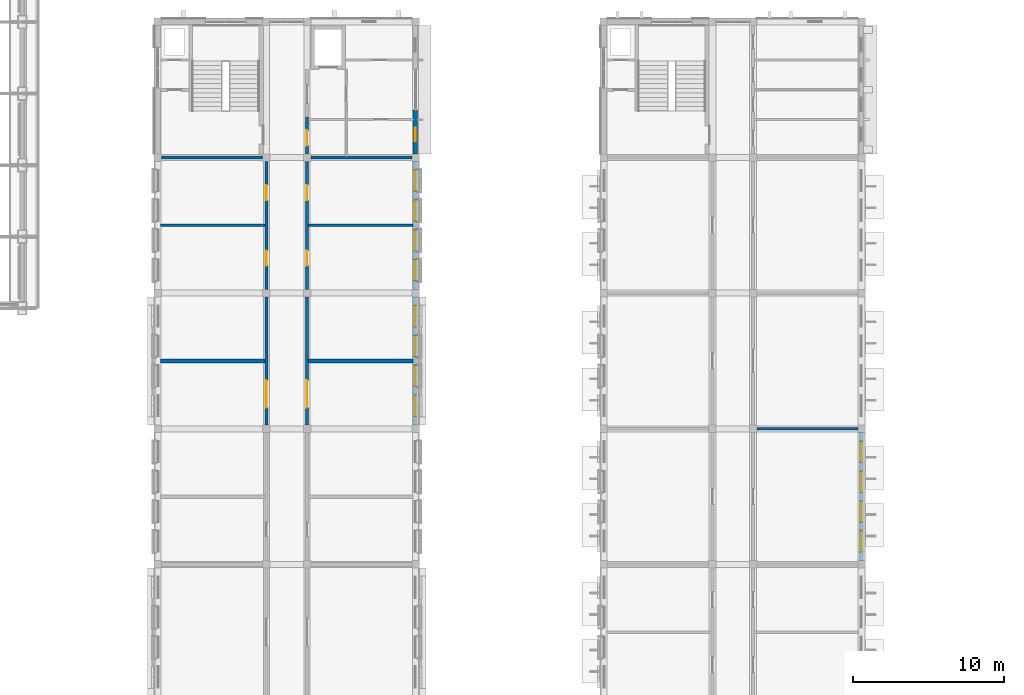
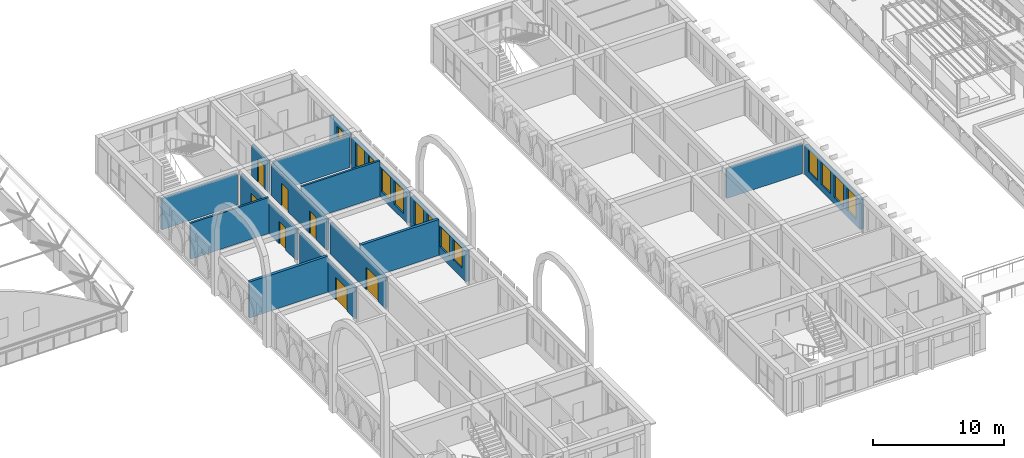
# One storey, part 41 of 65: 16 walls, 13 windows, 7 doors, 20 openings.
"""IFC4 building model written with IfcOpenShell, lengths in metres."""

from ifc_helpers import new_model, si_unit, direction, frame, frame_2d, origin, place, context, subcontext, project, spatial, rectangle, extrude, material, layer, layer_set, type_object, element, fill, save


model = new_model("IFC4")

# Units and contexts
model_context = context("Model", 3, precision=1e-05, world=origin(), true_north=direction((0.0, 1.0)))
body_context = subcontext(model_context, "Body", "Model", "MODEL_VIEW")
ifc_project = project(units=[si_unit("LENGTHUNIT", "METRE"), si_unit("AREAUNIT", "SQUARE_METRE"), si_unit("VOLUMEUNIT", "CUBIC_METRE"), si_unit("PLANEANGLEUNIT", "RADIAN"), si_unit("MASSUNIT", "GRAM", prefix="KILO")], contexts=[model_context])

# Site, building, storey
site_placement = place(None, origin())
site = spatial("IfcSite", under=ifc_project, at=site_placement, CompositionType="ELEMENT")
building_placement = place(site_placement, origin())
building = spatial("IfcBuilding", under=site, at=building_placement, Name="Elbe Cascade School", CompositionType="ELEMENT")
storey_placement = place(building_placement, frame((0.0, 0.0, 11.699951171875)))
storey = spatial("IfcBuildingStorey", under=building, at=storey_placement, Name="L03", CompositionType="ELEMENT", Elevation=11.699951171875)

# Walls
ifc_material_1 = material(Name="Masonry - lime-sand block, plastered", Category="masonry")
ifc_layer_1 = layer(ifc_material_1, 0.239990234375)
ifc_layer_set_1 = layer_set([ifc_layer_1], Name="Masonry - lime-sand block, plastered")
wall_type_1 = type_object("IfcWallType", Name="Bar acoustic partition wall lime-sand block 240", PredefinedType="PARTITIONING", material=ifc_layer_set_1)
wall_1_placement = place(storey_placement, frame((69.179931640625, 37.5, 0.0), z_axis=(0.0, 0.0, 1.0), x_axis=(1.0, 0.0, 0.0)))
element("IfcWall", 1, at=wall_1_placement, inside=storey, type_object=wall_type_1, Name="Bar acoustic partition wall lime-sand block 240", PredefinedType="PARTITIONING", context=body_context, shape_type="SweptSolid", body=[
    extrude(rectangle(XDim=6.920166015625, YDim=0.239990234375, at=frame_2d((3.4599609375, 0.0))), origin(), (0.0, 0.0, 1.0), 3.35009765625),
])
wall_2_placement = place(storey_placement, frame((79.0, 37.5, 0.0), z_axis=(0.0, 0.0, 1.0), x_axis=(1.0, 0.0, 0.0)))
element("IfcWall", 2, at=wall_2_placement, inside=storey, type_object=wall_type_1, Name="Bar acoustic partition wall lime-sand block 240", PredefinedType="PARTITIONING", context=body_context, shape_type="SweptSolid", body=[
    extrude(rectangle(XDim=6.919921875, YDim=0.239990234375, at=frame_2d((3.4599609375, 0.0))), origin(), (0.0, 0.0, 1.0), 3.35009765625),
])
ifc_material_2 = material(Name="Masonry - lime-sand block, plastered", Category="masonry")
ifc_layer_2 = layer(ifc_material_2, 0.175048828125)
ifc_layer_set_2 = layer_set([ifc_layer_2], Name="Masonry - lime-sand block, plastered")
wall_type_2 = type_object("IfcWallType", Name="Bar classroom partition wall lime-sand block 175", PredefinedType="PARTITIONING", material=ifc_layer_set_2)
wall_3_placement = place(storey_placement, frame((69.179931640625, 46.5, 0.0), z_axis=(0.0, 0.0, 1.0), x_axis=(1.0, 0.0, 0.0)))
element("IfcWall", 3, at=wall_3_placement, inside=storey, type_object=wall_type_2, Name="Bar classroom partition wall lime-sand block 175", PredefinedType="PARTITIONING", context=body_context, shape_type="SweptSolid", body=[
    extrude(rectangle(XDim=6.920166015625, YDim=0.175048828125, at=frame_2d((3.4599609375, 0.0))), origin(), (0.0, 0.0, 1.0), 3.35009765625),
])
wall_4_placement = place(storey_placement, frame((79.0, 46.5, 0.0), z_axis=(0.0, 0.0, 1.0), x_axis=(1.0, 0.0, 0.0)))
element("IfcWall", 4, at=wall_4_placement, inside=storey, type_object=wall_type_2, Name="Bar classroom partition wall lime-sand block 175", PredefinedType="PARTITIONING", context=body_context, shape_type="SweptSolid", body=[
    extrude(rectangle(XDim=6.919921875, YDim=0.175048828125, at=frame_2d((3.4599609375, 0.0))), origin(), (0.0, 0.0, 1.0), 3.35009765625),
])
wall_5_placement = place(storey_placement, frame((108.75, 33.0, 0.0), z_axis=(0.0, 0.0, 1.0), x_axis=(1.0, 0.0, 0.0)))
element("IfcWall", 5, at=wall_5_placement, inside=storey, type_object=wall_type_2, Name="Bar classroom partition wall lime-sand block 175", PredefinedType="PARTITIONING", context=body_context, shape_type="SweptSolid", body=[
    extrude(rectangle(XDim=6.699951171875, YDim=0.175048828125, at=frame_2d((3.35009765625, 0.0))), origin(), (0.0, 0.0, 1.0), 2.800048828125),
])

# Wall, opening, door
ifc_material_3 = material(Name="Masonry - lime-sand block, plastered", Category="masonry")
ifc_layer_3 = layer(ifc_material_3, 0.199951171875)
ifc_layer_set_3 = layer_set([ifc_layer_3], Name="Masonry - lime-sand block, plastered")
wall_type_3 = type_object("IfcWallType", Name="Bar corridor wall lime-sand block 200 EI 30", PredefinedType="PARTITIONING", material=ifc_layer_set_3)
wall_6_placement = place(storey_placement, frame((78.89990234375, 51.25, 0.0), z_axis=(0.0, 0.0, 1.0), x_axis=(0.0, 1.0, 0.0)))
wall_6 = element("IfcWall", 6, at=wall_6_placement, inside=storey, type_object=wall_type_3, Name="Bar corridor wall lime-sand block 200 EI 30", PredefinedType="PARTITIONING", context=body_context, shape_type="SweptSolid", body=[
    extrude(rectangle(XDim=2.449951171875, YDim=0.199951171875, at=frame_2d((1.22509765625, 0.0))), origin(), (0.0, 0.0, 1.0), 2.900146484375),
])
opening_1_placement = place(wall_6_placement, frame((0.550048828125, 0.0, 0.0)))
opening_1 = element("IfcOpeningElement", 7, at=opening_1_placement, cuts=wall_6, Name="Opening D3.020", PredefinedType="OPENING", context=body_context, shape_type="SweptSolid", body=[
    extrude(rectangle(XDim=1.0, YDim=2.10009765625, at=frame_2d((0.5, 1.050048828125))), frame((0.0, 0.10986328125, 0.0), z_axis=(0.0, -1.0, 0.0), x_axis=(1.0, 0.0, 0.0)), (0.0, 0.0, 1.0), 0.219970703125),
])
ifc_material_4 = material(Name="Timber door leaf, fire-resisting, steel frame", Category="steel")
door_type_1 = type_object("IfcDoorType", Name="Bar door FD30 1000x2100", OperationType="NOTDEFINED", PredefinedType="DOOR", material=ifc_material_4)
door_1_placement = place(opening_1_placement, origin())
door_1 = element("IfcDoor", 8, at=door_1_placement, inside=storey, type_object=door_type_1, Name="Door A3.19", OperationType="SINGLE_SWING_RIGHT", OverallHeight=2.10009765625, OverallWidth=1.0, PredefinedType="DOOR", context=body_context, shape_type="SweptSolid", body=[
    extrude(rectangle(XDim=1.0, YDim=2.10009765625, at=frame_2d((0.5, 1.050048828125))), frame((0.0, 0.02490234375, 0.0), z_axis=(0.0, -1.0, 0.0), x_axis=(1.0, 0.0, 0.0)), (0.0, 0.0, 1.0), 0.050048828125),
])
fill(opening_1, door_1)

wall_7_placement = place(storey_placement, frame((76.199951171875, 33.25, 0.0), z_axis=(0.0, 0.0, 1.0), x_axis=(0.0, 1.0, 0.0)))
wall_7 = element("IfcWall", 9, at=wall_7_placement, inside=storey, type_object=wall_type_3, Name="Bar corridor wall lime-sand block 200 EI 30", PredefinedType="PARTITIONING", context=body_context, shape_type="SweptSolid", body=[
    extrude(rectangle(XDim=8.5, YDim=0.199951171875, at=frame_2d((4.25, 0.0))), origin(), (0.0, 0.0, 1.0), 2.900146484375),
])
opening_2_placement = place(wall_7_placement, frame((1.1650390625, 0.0, 0.0)))
opening_2 = element("IfcOpeningElement", 10, at=opening_2_placement, cuts=wall_7, Name="Opening D3.014", PredefinedType="OPENING", context=body_context, shape_type="SweptSolid", body=[
    extrude(rectangle(XDim=1.800048828125, YDim=2.10009765625, at=frame_2d((0.89990234375, 1.050048828125))), frame((0.0, 0.10986328125, 0.0), z_axis=(0.0, -1.0, 0.0), x_axis=(1.0, 0.0, 0.0)), (0.0, 0.0, 1.0), 0.219970703125),
])
ifc_material_5 = material(Name="Timber door leaves, fire-resisting, steel frame", Category="steel")
door_type_2 = type_object("IfcDoorType", Name="Bar door FD30 1800x2100", OperationType="NOTDEFINED", PredefinedType="DOOR", material=ifc_material_5)
door_2_placement = place(opening_2_placement, origin())
door_2 = element("IfcDoor", 11, at=door_2_placement, inside=storey, type_object=door_type_2, Name="Door A3.22", OperationType="DOUBLE_DOOR_DOUBLE_SWING", OverallHeight=2.10009765625, OverallWidth=1.800048828125, PredefinedType="DOOR", context=body_context, shape_type="SweptSolid", body=[
    extrude(rectangle(XDim=1.800048828125, YDim=2.10009765625, at=frame_2d((0.89990234375, 1.050048828125))), frame((0.0, 0.02490234375, 0.0), z_axis=(0.0, -1.0, 0.0), x_axis=(1.0, 0.0, 0.0)), (0.0, 0.0, 1.0), 0.050048828125),
])
fill(opening_2, door_2)

# Wall, openings, doors
wall_8_placement = place(storey_placement, frame((76.199951171875, 42.25, 0.0), z_axis=(0.0, 0.0, 1.0), x_axis=(0.0, 1.0, 0.0)))
wall_8 = element("IfcWall", 12, at=wall_8_placement, inside=storey, type_object=wall_type_3, Name="Bar corridor wall lime-sand block 200 EI 30", PredefinedType="PARTITIONING", context=body_context, shape_type="SweptSolid", body=[
    extrude(rectangle(XDim=8.5, YDim=0.199951171875, at=frame_2d((4.25, 0.0))), origin(), (0.0, 0.0, 1.0), 2.900146484375),
])
opening_3_placement = place(wall_8_placement, frame((1.581298828125, 0.0, 0.0)))
opening_3 = element("IfcOpeningElement", 13, at=opening_3_placement, cuts=wall_8, Name="Opening D3.016", PredefinedType="OPENING", context=body_context, shape_type="SweptSolid", body=[
    extrude(rectangle(XDim=1.0, YDim=2.10009765625, at=frame_2d((0.5, 1.050048828125))), frame((0.0, 0.10986328125, 0.0), z_axis=(0.0, -1.0, 0.0), x_axis=(1.0, 0.0, 0.0)), (0.0, 0.0, 1.0), 0.219970703125),
])
opening_4_placement = place(wall_8_placement, frame((5.918701171875, 0.0, 0.0)))
opening_4 = element("IfcOpeningElement", 14, at=opening_4_placement, cuts=wall_8, Name="Opening D3.018", PredefinedType="OPENING", context=body_context, shape_type="SweptSolid", body=[
    extrude(rectangle(XDim=1.0, YDim=2.10009765625, at=frame_2d((0.5, 1.050048828125))), frame((0.0, 0.10986328125, 0.0), z_axis=(0.0, -1.0, 0.0), x_axis=(1.0, 0.0, 0.0)), (0.0, 0.0, 1.0), 0.219970703125),
])
door_3_placement = place(opening_3_placement, origin())
door_3 = element("IfcDoor", 15, at=door_3_placement, inside=storey, type_object=door_type_1, Name="Door A3.23", OperationType="SINGLE_SWING_RIGHT", OverallHeight=2.10009765625, OverallWidth=1.0, PredefinedType="DOOR", context=body_context, shape_type="SweptSolid", body=[
    extrude(rectangle(XDim=1.0, YDim=2.10009765625, at=frame_2d((0.5, 1.050048828125))), frame((0.0, 0.02490234375, 0.0), z_axis=(0.0, -1.0, 0.0), x_axis=(1.0, 0.0, 0.0)), (0.0, 0.0, 1.0), 0.050048828125),
])
fill(opening_3, door_3)
door_4_placement = place(opening_4_placement, origin())
door_4 = element("IfcDoor", 16, at=door_4_placement, inside=storey, type_object=door_type_1, Name="Door A3.24", OperationType="SINGLE_SWING_LEFT", OverallHeight=2.10009765625, OverallWidth=1.0, PredefinedType="DOOR", context=body_context, shape_type="SweptSolid", body=[
    extrude(rectangle(XDim=1.0, YDim=2.10009765625, at=frame_2d((0.5, 1.050048828125))), frame((0.0, 0.02490234375, 0.0), z_axis=(0.0, -1.0, 0.0), x_axis=(1.0, 0.0, 0.0)), (0.0, 0.0, 1.0), 0.050048828125),
])
fill(opening_4, door_4)

# Wall, opening, door
wall_9_placement = place(storey_placement, frame((78.89990234375, 41.75, 0.0), z_axis=(0.0, 0.0, 1.0), x_axis=(0.0, -1.0, 0.0)))
wall_9 = element("IfcWall", 17, at=wall_9_placement, inside=storey, type_object=wall_type_3, Name="Bar corridor wall lime-sand block 200 EI 30", PredefinedType="PARTITIONING", context=body_context, shape_type="SweptSolid", body=[
    extrude(rectangle(XDim=8.5, YDim=0.199951171875, at=frame_2d((4.25, 0.0))), origin(), (0.0, 0.0, 1.0), 2.900146484375),
])
opening_5_placement = place(wall_9_placement, frame((5.534912109375, 0.0, 0.0)))
opening_5 = element("IfcOpeningElement", 18, at=opening_5_placement, cuts=wall_9, Name="Opening D3.015", PredefinedType="OPENING", context=body_context, shape_type="SweptSolid", body=[
    extrude(rectangle(XDim=1.800048828125, YDim=2.10009765625, at=frame_2d((0.89990234375, 1.050048828125))), frame((0.0, 0.10986328125, 0.0), z_axis=(0.0, -1.0, 0.0), x_axis=(1.0, 0.0, 0.0)), (0.0, 0.0, 1.0), 0.219970703125),
])
door_5_placement = place(opening_5_placement, origin())
door_5 = element("IfcDoor", 19, at=door_5_placement, inside=storey, type_object=door_type_2, Name="Door A3.27", OperationType="DOUBLE_DOOR_DOUBLE_SWING", OverallHeight=2.10009765625, OverallWidth=1.800048828125, PredefinedType="DOOR", context=body_context, shape_type="SweptSolid", body=[
    extrude(rectangle(XDim=1.800048828125, YDim=2.10009765625, at=frame_2d((0.89990234375, 1.050048828125))), frame((0.0, 0.02490234375, 0.0), z_axis=(0.0, -1.0, 0.0), x_axis=(1.0, 0.0, 0.0)), (0.0, 0.0, 1.0), 0.050048828125),
])
fill(opening_5, door_5)

# Wall, openings, doors
wall_10_placement = place(storey_placement, frame((78.89990234375, 50.75, 0.0), z_axis=(0.0, 0.0, 1.0), x_axis=(0.0, -1.0, 0.0)))
wall_10 = element("IfcWall", 20, at=wall_10_placement, inside=storey, type_object=wall_type_3, Name="Bar corridor wall lime-sand block 200 EI 30", PredefinedType="PARTITIONING", context=body_context, shape_type="SweptSolid", body=[
    extrude(rectangle(XDim=8.5, YDim=0.199951171875, at=frame_2d((4.25, 0.0))), origin(), (0.0, 0.0, 1.0), 2.900146484375),
])
opening_6_placement = place(wall_10_placement, frame((5.918701171875, 0.0, 0.0)))
opening_6 = element("IfcOpeningElement", 21, at=opening_6_placement, cuts=wall_10, Name="Opening D3.017", PredefinedType="OPENING", context=body_context, shape_type="SweptSolid", body=[
    extrude(rectangle(XDim=1.0, YDim=2.10009765625, at=frame_2d((0.5, 1.050048828125))), frame((0.0, 0.10986328125, 0.0), z_axis=(0.0, -1.0, 0.0), x_axis=(1.0, 0.0, 0.0)), (0.0, 0.0, 1.0), 0.219970703125),
])
opening_7_placement = place(wall_10_placement, frame((1.581298828125, 0.0, 0.0)))
opening_7 = element("IfcOpeningElement", 22, at=opening_7_placement, cuts=wall_10, Name="Opening D3.019", PredefinedType="OPENING", context=body_context, shape_type="SweptSolid", body=[
    extrude(rectangle(XDim=1.0, YDim=2.10009765625, at=frame_2d((0.5, 1.050048828125))), frame((0.0, 0.10986328125, 0.0), z_axis=(0.0, -1.0, 0.0), x_axis=(1.0, 0.0, 0.0)), (0.0, 0.0, 1.0), 0.219970703125),
])
door_6_placement = place(opening_6_placement, origin())
door_6 = element("IfcDoor", 23, at=door_6_placement, inside=storey, type_object=door_type_1, Name="Door A3.28", OperationType="SINGLE_SWING_LEFT", OverallHeight=2.10009765625, OverallWidth=1.0, PredefinedType="DOOR", context=body_context, shape_type="SweptSolid", body=[
    extrude(rectangle(XDim=1.0, YDim=2.10009765625, at=frame_2d((0.5, 1.050048828125))), frame((0.0, 0.02490234375, 0.0), z_axis=(0.0, -1.0, 0.0), x_axis=(1.0, 0.0, 0.0)), (0.0, 0.0, 1.0), 0.050048828125),
])
fill(opening_6, door_6)
door_7_placement = place(opening_7_placement, origin())
door_7 = element("IfcDoor", 24, at=door_7_placement, inside=storey, type_object=door_type_1, Name="Door A3.29", OperationType="SINGLE_SWING_RIGHT", OverallHeight=2.10009765625, OverallWidth=1.0, PredefinedType="DOOR", context=body_context, shape_type="SweptSolid", body=[
    extrude(rectangle(XDim=1.0, YDim=2.10009765625, at=frame_2d((0.5, 1.050048828125))), frame((0.0, 0.02490234375, 0.0), z_axis=(0.0, -1.0, 0.0), x_axis=(1.0, 0.0, 0.0)), (0.0, 0.0, 1.0), 0.050048828125),
])
fill(opening_7, door_7)

# Walls
ifc_material_6 = material(Name="Masonry - lime-sand block, plastered", Category="masonry")
ifc_layer_4 = layer(ifc_material_6, 0.199951171875)
ifc_layer_set_4 = layer_set([ifc_layer_4], Name="Masonry - lime-sand block, plastered")
wall_type_4 = type_object("IfcWallType", Name="Bar partition wall lime-sand block 200", PredefinedType="PARTITIONING", material=ifc_layer_set_4)
wall_11_placement = place(storey_placement, frame((79.14990234375, 51.0, 0.0), z_axis=(0.0, 0.0, 1.0), x_axis=(1.0, 0.0, 0.0)))
element("IfcWall", 25, at=wall_11_placement, inside=storey, type_object=wall_type_4, Name="Bar partition wall lime-sand block 200", PredefinedType="PARTITIONING", context=body_context, shape_type="SweptSolid", body=[
    extrude(rectangle(XDim=6.7001953125, YDim=0.199951171875, at=frame_2d((3.35009765625, 0.0))), origin(), (0.0, 0.0, 1.0), 2.900146484375),
])
ifc_material_7 = material(Name="Concrete C30/37", Category="concrete")
ifc_layer_5 = layer(ifc_material_7, 0.199951171875)
ifc_layer_set_5 = layer_set([ifc_layer_5], Name="Concrete C30/37")
wall_type_5 = type_object("IfcWallType", Name="Bar stair lobby wall RC 200", PredefinedType="SOLIDWALL", material=ifc_layer_set_5)
wall_12_placement = place(storey_placement, frame((69.25, 51.0, 0.0), z_axis=(0.0, 0.0, 1.0), x_axis=(1.0, 0.0, 0.0)))
element("IfcWall", 26, at=wall_12_placement, inside=storey, type_object=wall_type_5, Name="Bar stair lobby wall RC 200", PredefinedType="SOLIDWALL", context=body_context, shape_type="SweptSolid", body=[
    extrude(rectangle(XDim=6.699951171875, YDim=0.199951171875, at=frame_2d((3.35009765625, 0.0))), origin(), (0.0, 0.0, 1.0), 2.900146484375),
])

# Wall, openings, windows
ifc_material_8 = material(Name="Brick masonry - red clinker, cavity wall with render backing", Category="masonry")
ifc_layer_6 = layer(ifc_material_8, 0.300048828125)
ifc_layer_set_6 = layer_set([ifc_layer_6], Name="Brick masonry - red clinker, cavity wall with render backing")
wall_type_6 = type_object("IfcWallType", Name="Bars envelope External wall - clinker brick cavity, 300 upper floors", PredefinedType="STANDARD", material=ifc_layer_set_6)
wall_13_placement = place(storey_placement, frame((86.070068359375, 41.75, 0.0), z_axis=(0.0, 0.0, 1.0), x_axis=(0.0, -1.0, 0.0)))
wall_13 = element("IfcWall", 27, at=wall_13_placement, inside=storey, type_object=wall_type_6, Name="External wall W30 A.L03.e4", PredefinedType="STANDARD", context=body_context, shape_type="SweptSolid", body=[
    extrude(rectangle(XDim=8.5, YDim=0.300048828125, at=frame_2d((4.25, 0.0))), origin(), (0.0, 0.0, 1.0), 2.85009765625),
])
opening_8_placement = place(wall_13_placement, frame((6.52001953125, 0.0, 0.89990234375)))
opening_8 = element("IfcOpeningElement", 28, at=opening_8_placement, cuts=wall_13, Name="Opening W3.021", PredefinedType="OPENING", context=body_context, shape_type="SweptSolid", body=[
    extrude(rectangle(XDim=1.39990234375, YDim=1.89990234375, at=frame_2d((0.699951171875, 0.949951171875))), frame((0.0, 0.159912109375, 0.0), z_axis=(0.0, -1.0, 0.0), x_axis=(1.0, 0.0, 0.0)), (0.0, 0.0, 1.0), 0.320068359375),
])
opening_9_placement = place(wall_13_placement, frame((4.5400390625, 0.0, 0.89990234375)))
opening_9 = element("IfcOpeningElement", 29, at=opening_9_placement, cuts=wall_13, Name="Opening W3.023", PredefinedType="OPENING", context=body_context, shape_type="SweptSolid", body=[
    extrude(rectangle(XDim=1.39990234375, YDim=1.89990234375, at=frame_2d((0.699951171875, 0.949951171875))), frame((0.0, 0.159912109375, 0.0), z_axis=(0.0, -1.0, 0.0), x_axis=(1.0, 0.0, 0.0)), (0.0, 0.0, 1.0), 0.320068359375),
])
opening_10_placement = place(wall_13_placement, frame((2.56005859375, 0.0, 0.60009765625)))
opening_10 = element("IfcOpeningElement", 30, at=opening_10_placement, cuts=wall_13, Name="Opening W3.025", PredefinedType="OPENING", context=body_context, shape_type="SweptSolid", body=[
    extrude(rectangle(XDim=1.39990234375, YDim=2.199951171875, at=frame_2d((0.699951171875, 1.10009765625))), frame((0.0, 0.159912109375, 0.0), z_axis=(0.0, -1.0, 0.0), x_axis=(1.0, 0.0, 0.0)), (0.0, 0.0, 1.0), 0.320068359375),
])
opening_11_placement = place(wall_13_placement, frame((0.580078125, 0.0, 0.60009765625)))
opening_11 = element("IfcOpeningElement", 31, at=opening_11_placement, cuts=wall_13, Name="Opening W3.027", PredefinedType="OPENING", context=body_context, shape_type="SweptSolid", body=[
    extrude(rectangle(XDim=1.39990234375, YDim=2.199951171875, at=frame_2d((0.699951171875, 1.10009765625))), frame((0.0, 0.159912109375, 0.0), z_axis=(0.0, -1.0, 0.0), x_axis=(1.0, 0.0, 0.0)), (0.0, 0.0, 1.0), 0.320068359375),
])
ifc_material_9 = material(Name="Aluminium frame with double glazing, bronze anodised", Category="aluminium")
window_type_1 = type_object("IfcWindowType", Name="Bars envelope Window 1400 x 1900, laboratory and office, bench height sill, aluminium double glazed", PartitioningType="DOUBLE_PANEL_VERTICAL", PredefinedType="WINDOW", material=ifc_material_9)
window_1_placement = place(opening_8_placement, origin())
window_1 = element("IfcWindow", 32, at=window_1_placement, inside=storey, type_object=window_type_1, Name="Window WN6 A.L03.e4.1", OverallHeight=1.89990234375, OverallWidth=1.39990234375, PartitioningType="DOUBLE_PANEL_VERTICAL", PredefinedType="WINDOW", context=body_context, shape_type="SweptSolid", body=[
    extrude(rectangle(XDim=1.39990234375, YDim=1.89990234375, at=frame_2d((0.699951171875, 0.949951171875))), frame((0.0, 0.030029296875, 0.0), z_axis=(0.0, -1.0, 0.0), x_axis=(1.0, 0.0, 0.0)), (0.0, 0.0, 1.0), 0.06005859375),
])
fill(opening_8, window_1)
window_2_placement = place(opening_9_placement, origin())
window_2 = element("IfcWindow", 33, at=window_2_placement, inside=storey, type_object=window_type_1, Name="Window WN6 A.L03.e4.2", OverallHeight=1.89990234375, OverallWidth=1.39990234375, PartitioningType="DOUBLE_PANEL_VERTICAL", PredefinedType="WINDOW", context=body_context, shape_type="SweptSolid", body=[
    extrude(rectangle(XDim=1.39990234375, YDim=1.89990234375, at=frame_2d((0.699951171875, 0.949951171875))), frame((0.0, 0.030029296875, 0.0), z_axis=(0.0, -1.0, 0.0), x_axis=(1.0, 0.0, 0.0)), (0.0, 0.0, 1.0), 0.06005859375),
])
fill(opening_9, window_2)
ifc_material_10 = material(Name="Aluminium frame with double glazing, bronze anodised", Category="aluminium")
window_type_2 = type_object("IfcWindowType", Name="Bars envelope Window 1400 x 2200, classroom, aluminium double glazed", PartitioningType="DOUBLE_PANEL_VERTICAL", PredefinedType="WINDOW", material=ifc_material_10)
window_3_placement = place(opening_10_placement, origin())
window_3 = element("IfcWindow", 34, at=window_3_placement, inside=storey, type_object=window_type_2, Name="Window WN7 A.L03.e4.3", OverallHeight=2.199951171875, OverallWidth=1.39990234375, PartitioningType="DOUBLE_PANEL_VERTICAL", PredefinedType="WINDOW", context=body_context, shape_type="SweptSolid", body=[
    extrude(rectangle(XDim=1.39990234375, YDim=2.199951171875, at=frame_2d((0.699951171875, 1.10009765625))), frame((0.0, 0.030029296875, 0.0), z_axis=(0.0, -1.0, 0.0), x_axis=(1.0, 0.0, 0.0)), (0.0, 0.0, 1.0), 0.06005859375),
])
fill(opening_10, window_3)
window_4_placement = place(opening_11_placement, origin())
window_4 = element("IfcWindow", 35, at=window_4_placement, inside=storey, type_object=window_type_2, Name="Window WN7 A.L03.e4.4", OverallHeight=2.199951171875, OverallWidth=1.39990234375, PartitioningType="DOUBLE_PANEL_VERTICAL", PredefinedType="WINDOW", context=body_context, shape_type="SweptSolid", body=[
    extrude(rectangle(XDim=1.39990234375, YDim=2.199951171875, at=frame_2d((0.699951171875, 1.10009765625))), frame((0.0, 0.030029296875, 0.0), z_axis=(0.0, -1.0, 0.0), x_axis=(1.0, 0.0, 0.0)), (0.0, 0.0, 1.0), 0.06005859375),
])
fill(opening_11, window_4)

wall_14_placement = place(storey_placement, frame((86.070068359375, 50.75, 0.0), z_axis=(0.0, 0.0, 1.0), x_axis=(0.0, -1.0, 0.0)))
wall_14 = element("IfcWall", 36, at=wall_14_placement, inside=storey, type_object=wall_type_6, Name="External wall W30 A.L03.e5", PredefinedType="STANDARD", context=body_context, shape_type="SweptSolid", body=[
    extrude(rectangle(XDim=8.5, YDim=0.300048828125, at=frame_2d((4.25, 0.0))), origin(), (0.0, 0.0, 1.0), 2.85009765625),
])
opening_12_placement = place(wall_14_placement, frame((6.52001953125, 0.0, 0.60009765625)))
opening_12 = element("IfcOpeningElement", 37, at=opening_12_placement, cuts=wall_14, Name="Opening W3.029", PredefinedType="OPENING", context=body_context, shape_type="SweptSolid", body=[
    extrude(rectangle(XDim=1.39990234375, YDim=2.199951171875, at=frame_2d((0.699951171875, 1.10009765625))), frame((0.0, 0.159912109375, 0.0), z_axis=(0.0, -1.0, 0.0), x_axis=(1.0, 0.0, 0.0)), (0.0, 0.0, 1.0), 0.320068359375),
])
opening_13_placement = place(wall_14_placement, frame((4.5400390625, 0.0, 0.60009765625)))
opening_13 = element("IfcOpeningElement", 38, at=opening_13_placement, cuts=wall_14, Name="Opening W3.031", PredefinedType="OPENING", context=body_context, shape_type="SweptSolid", body=[
    extrude(rectangle(XDim=1.39990234375, YDim=2.199951171875, at=frame_2d((0.699951171875, 1.10009765625))), frame((0.0, 0.159912109375, 0.0), z_axis=(0.0, -1.0, 0.0), x_axis=(1.0, 0.0, 0.0)), (0.0, 0.0, 1.0), 0.320068359375),
])
opening_14_placement = place(wall_14_placement, frame((2.56005859375, 0.0, 0.60009765625)))
opening_14 = element("IfcOpeningElement", 39, at=opening_14_placement, cuts=wall_14, Name="Opening W3.033", PredefinedType="OPENING", context=body_context, shape_type="SweptSolid", body=[
    extrude(rectangle(XDim=1.39990234375, YDim=2.199951171875, at=frame_2d((0.699951171875, 1.10009765625))), frame((0.0, 0.159912109375, 0.0), z_axis=(0.0, -1.0, 0.0), x_axis=(1.0, 0.0, 0.0)), (0.0, 0.0, 1.0), 0.320068359375),
])
opening_15_placement = place(wall_14_placement, frame((0.580078125, 0.0, 0.60009765625)))
opening_15 = element("IfcOpeningElement", 40, at=opening_15_placement, cuts=wall_14, Name="Opening W3.035", PredefinedType="OPENING", context=body_context, shape_type="SweptSolid", body=[
    extrude(rectangle(XDim=1.39990234375, YDim=2.199951171875, at=frame_2d((0.699951171875, 1.10009765625))), frame((0.0, 0.159912109375, 0.0), z_axis=(0.0, -1.0, 0.0), x_axis=(1.0, 0.0, 0.0)), (0.0, 0.0, 1.0), 0.320068359375),
])
window_5_placement = place(opening_12_placement, origin())
window_5 = element("IfcWindow", 41, at=window_5_placement, inside=storey, type_object=window_type_2, Name="Window WN7 A.L03.e5.1", OverallHeight=2.199951171875, OverallWidth=1.39990234375, PartitioningType="DOUBLE_PANEL_VERTICAL", PredefinedType="WINDOW", context=body_context, shape_type="SweptSolid", body=[
    extrude(rectangle(XDim=1.39990234375, YDim=2.199951171875, at=frame_2d((0.699951171875, 1.10009765625))), frame((0.0, 0.030029296875, 0.0), z_axis=(0.0, -1.0, 0.0), x_axis=(1.0, 0.0, 0.0)), (0.0, 0.0, 1.0), 0.06005859375),
])
fill(opening_12, window_5)
window_6_placement = place(opening_13_placement, origin())
window_6 = element("IfcWindow", 42, at=window_6_placement, inside=storey, type_object=window_type_2, Name="Window WN7 A.L03.e5.2", OverallHeight=2.199951171875, OverallWidth=1.39990234375, PartitioningType="DOUBLE_PANEL_VERTICAL", PredefinedType="WINDOW", context=body_context, shape_type="SweptSolid", body=[
    extrude(rectangle(XDim=1.39990234375, YDim=2.199951171875, at=frame_2d((0.699951171875, 1.10009765625))), frame((0.0, 0.030029296875, 0.0), z_axis=(0.0, -1.0, 0.0), x_axis=(1.0, 0.0, 0.0)), (0.0, 0.0, 1.0), 0.06005859375),
])
fill(opening_13, window_6)
window_7_placement = place(opening_14_placement, origin())
window_7 = element("IfcWindow", 43, at=window_7_placement, inside=storey, type_object=window_type_2, Name="Window WN7 A.L03.e5.3", OverallHeight=2.199951171875, OverallWidth=1.39990234375, PartitioningType="DOUBLE_PANEL_VERTICAL", PredefinedType="WINDOW", context=body_context, shape_type="SweptSolid", body=[
    extrude(rectangle(XDim=1.39990234375, YDim=2.199951171875, at=frame_2d((0.699951171875, 1.10009765625))), frame((0.0, 0.030029296875, 0.0), z_axis=(0.0, -1.0, 0.0), x_axis=(1.0, 0.0, 0.0)), (0.0, 0.0, 1.0), 0.06005859375),
])
fill(opening_14, window_7)
window_8_placement = place(opening_15_placement, origin())
window_8 = element("IfcWindow", 44, at=window_8_placement, inside=storey, type_object=window_type_2, Name="Window WN7 A.L03.e5.4", OverallHeight=2.199951171875, OverallWidth=1.39990234375, PartitioningType="DOUBLE_PANEL_VERTICAL", PredefinedType="WINDOW", context=body_context, shape_type="SweptSolid", body=[
    extrude(rectangle(XDim=1.39990234375, YDim=2.199951171875, at=frame_2d((0.699951171875, 1.10009765625))), frame((0.0, 0.030029296875, 0.0), z_axis=(0.0, -1.0, 0.0), x_axis=(1.0, 0.0, 0.0)), (0.0, 0.0, 1.0), 0.06005859375),
])
fill(opening_15, window_8)

# Wall, opening, window
wall_15_placement = place(storey_placement, frame((86.070068359375, 54.14990234375, 0.0), z_axis=(0.0, 0.0, 1.0), x_axis=(0.0, -1.0, 0.0)))
wall_15 = element("IfcWall", 45, at=wall_15_placement, inside=storey, type_object=wall_type_6, Name="External wall W30 A.L03.e6a", PredefinedType="STANDARD", context=body_context, shape_type="SweptSolid", body=[
    extrude(rectangle(XDim=2.89990234375, YDim=0.300048828125, at=frame_2d((1.449951171875, 0.0))), origin(), (0.0, 0.0, 1.0), 2.85009765625),
])
opening_16_placement = place(wall_15_placement, frame((1.169921875, 0.0, 1.60009765625)))
opening_16 = element("IfcOpeningElement", 46, at=opening_16_placement, cuts=wall_15, Name="Opening W3.036", PredefinedType="OPENING", context=body_context, shape_type="SweptSolid", body=[
    extrude(rectangle(XDim=0.89990234375, YDim=1.0, at=frame_2d((0.449951171875, 0.5))), frame((0.0, 0.159912109375, 0.0), z_axis=(0.0, -1.0, 0.0), x_axis=(1.0, 0.0, 0.0)), (0.0, 0.0, 1.0), 0.320068359375),
])
ifc_material_11 = material(Name="Aluminium frame with double glazing, bronze anodised", Category="aluminium")
window_type_3 = type_object("IfcWindowType", Name="Bars envelope Window 900 x 1000, WC and service room, high level, aluminium double glazed", PartitioningType="SINGLE_PANEL", PredefinedType="WINDOW", material=ifc_material_11)
window_9_placement = place(opening_16_placement, origin())
window_9 = element("IfcWindow", 47, at=window_9_placement, inside=storey, type_object=window_type_3, Name="Window WN4 A.L03.e6a.1", OverallHeight=1.0, OverallWidth=0.89990234375, PartitioningType="SINGLE_PANEL", PredefinedType="WINDOW", context=body_context, shape_type="SweptSolid", body=[
    extrude(rectangle(XDim=0.89990234375, YDim=1.0, at=frame_2d((0.449951171875, 0.5))), frame((0.0, 0.030029296875, 0.0), z_axis=(0.0, -1.0, 0.0), x_axis=(1.0, 0.0, 0.0)), (0.0, 0.0, 1.0), 0.06005859375),
])
fill(opening_16, window_9)

# Wall, openings, windows
wall_16_placement = place(storey_placement, frame((115.669921875, 32.75, 0.0), z_axis=(0.0, 0.0, 1.0), x_axis=(0.0, -1.0, 0.0)))
wall_16 = element("IfcWall", 48, at=wall_16_placement, inside=storey, type_object=wall_type_6, Name="External wall W30 B.L03.e3", PredefinedType="STANDARD", context=body_context, shape_type="SweptSolid", body=[
    extrude(rectangle(XDim=8.5, YDim=0.300048828125, at=frame_2d((4.25, 0.0))), origin(), (0.0, 0.0, 1.0), 2.75),
])
opening_17_placement = place(wall_16_placement, frame((6.52001953125, 0.0, 0.60009765625)))
opening_17 = element("IfcOpeningElement", 49, at=opening_17_placement, cuts=wall_16, Name="Opening W3.051", PredefinedType="OPENING", context=body_context, shape_type="SweptSolid", body=[
    extrude(rectangle(XDim=1.39990234375, YDim=2.10009765625, at=frame_2d((0.699951171875, 1.050048828125))), frame((0.0, 0.159912109375, 0.0), z_axis=(0.0, -1.0, 0.0), x_axis=(1.0, 0.0, 0.0)), (0.0, 0.0, 1.0), 0.320068359375),
])
opening_18_placement = place(wall_16_placement, frame((4.5400390625, 0.0, 0.60009765625)))
opening_18 = element("IfcOpeningElement", 50, at=opening_18_placement, cuts=wall_16, Name="Opening W3.053", PredefinedType="OPENING", context=body_context, shape_type="SweptSolid", body=[
    extrude(rectangle(XDim=1.39990234375, YDim=2.10009765625, at=frame_2d((0.699951171875, 1.050048828125))), frame((0.0, 0.159912109375, 0.0), z_axis=(0.0, -1.0, 0.0), x_axis=(1.0, 0.0, 0.0)), (0.0, 0.0, 1.0), 0.320068359375),
])
opening_19_placement = place(wall_16_placement, frame((2.56005859375, 0.0, 0.60009765625)))
opening_19 = element("IfcOpeningElement", 51, at=opening_19_placement, cuts=wall_16, Name="Opening W3.055", PredefinedType="OPENING", context=body_context, shape_type="SweptSolid", body=[
    extrude(rectangle(XDim=1.39990234375, YDim=2.10009765625, at=frame_2d((0.699951171875, 1.050048828125))), frame((0.0, 0.159912109375, 0.0), z_axis=(0.0, -1.0, 0.0), x_axis=(1.0, 0.0, 0.0)), (0.0, 0.0, 1.0), 0.320068359375),
])
opening_20_placement = place(wall_16_placement, frame((0.580078125, 0.0, 0.60009765625)))
opening_20 = element("IfcOpeningElement", 52, at=opening_20_placement, cuts=wall_16, Name="Opening W3.057", PredefinedType="OPENING", context=body_context, shape_type="SweptSolid", body=[
    extrude(rectangle(XDim=1.39990234375, YDim=2.10009765625, at=frame_2d((0.699951171875, 1.050048828125))), frame((0.0, 0.159912109375, 0.0), z_axis=(0.0, -1.0, 0.0), x_axis=(1.0, 0.0, 0.0)), (0.0, 0.0, 1.0), 0.320068359375),
])
ifc_material_12 = material(Name="Aluminium frame with double glazing, bronze anodised", Category="aluminium")
window_type_4 = type_object("IfcWindowType", Name="Bars envelope Window 1400 x 2100, classroom, aluminium double glazed", PartitioningType="DOUBLE_PANEL_VERTICAL", PredefinedType="WINDOW", material=ifc_material_12)
window_10_placement = place(opening_17_placement, origin())
window_10 = element("IfcWindow", 53, at=window_10_placement, inside=storey, type_object=window_type_4, Name="Window WN8 B.L03.e3.1", OverallHeight=2.10009765625, OverallWidth=1.39990234375, PartitioningType="DOUBLE_PANEL_VERTICAL", PredefinedType="WINDOW", context=body_context, shape_type="SweptSolid", body=[
    extrude(rectangle(XDim=1.39990234375, YDim=2.10009765625, at=frame_2d((0.699951171875, 1.050048828125))), frame((0.0, 0.030029296875, 0.0), z_axis=(0.0, -1.0, 0.0), x_axis=(1.0, 0.0, 0.0)), (0.0, 0.0, 1.0), 0.06005859375),
])
fill(opening_17, window_10)
window_11_placement = place(opening_18_placement, origin())
window_11 = element("IfcWindow", 54, at=window_11_placement, inside=storey, type_object=window_type_4, Name="Window WN8 B.L03.e3.2", OverallHeight=2.10009765625, OverallWidth=1.39990234375, PartitioningType="DOUBLE_PANEL_VERTICAL", PredefinedType="WINDOW", context=body_context, shape_type="SweptSolid", body=[
    extrude(rectangle(XDim=1.39990234375, YDim=2.10009765625, at=frame_2d((0.699951171875, 1.050048828125))), frame((0.0, 0.030029296875, 0.0), z_axis=(0.0, -1.0, 0.0), x_axis=(1.0, 0.0, 0.0)), (0.0, 0.0, 1.0), 0.06005859375),
])
fill(opening_18, window_11)
window_12_placement = place(opening_19_placement, origin())
window_12 = element("IfcWindow", 55, at=window_12_placement, inside=storey, type_object=window_type_4, Name="Window WN8 B.L03.e3.3", OverallHeight=2.10009765625, OverallWidth=1.39990234375, PartitioningType="DOUBLE_PANEL_VERTICAL", PredefinedType="WINDOW", context=body_context, shape_type="SweptSolid", body=[
    extrude(rectangle(XDim=1.39990234375, YDim=2.10009765625, at=frame_2d((0.699951171875, 1.050048828125))), frame((0.0, 0.030029296875, 0.0), z_axis=(0.0, -1.0, 0.0), x_axis=(1.0, 0.0, 0.0)), (0.0, 0.0, 1.0), 0.06005859375),
])
fill(opening_19, window_12)
window_13_placement = place(opening_20_placement, origin())
window_13 = element("IfcWindow", 56, at=window_13_placement, inside=storey, type_object=window_type_4, Name="Window WN8 B.L03.e3.4", OverallHeight=2.10009765625, OverallWidth=1.39990234375, PartitioningType="DOUBLE_PANEL_VERTICAL", PredefinedType="WINDOW", context=body_context, shape_type="SweptSolid", body=[
    extrude(rectangle(XDim=1.39990234375, YDim=2.10009765625, at=frame_2d((0.699951171875, 1.050048828125))), frame((0.0, 0.030029296875, 0.0), z_axis=(0.0, -1.0, 0.0), x_axis=(1.0, 0.0, 0.0)), (0.0, 0.0, 1.0), 0.06005859375),
])
fill(opening_20, window_13)

save(model, "model.ifc")
